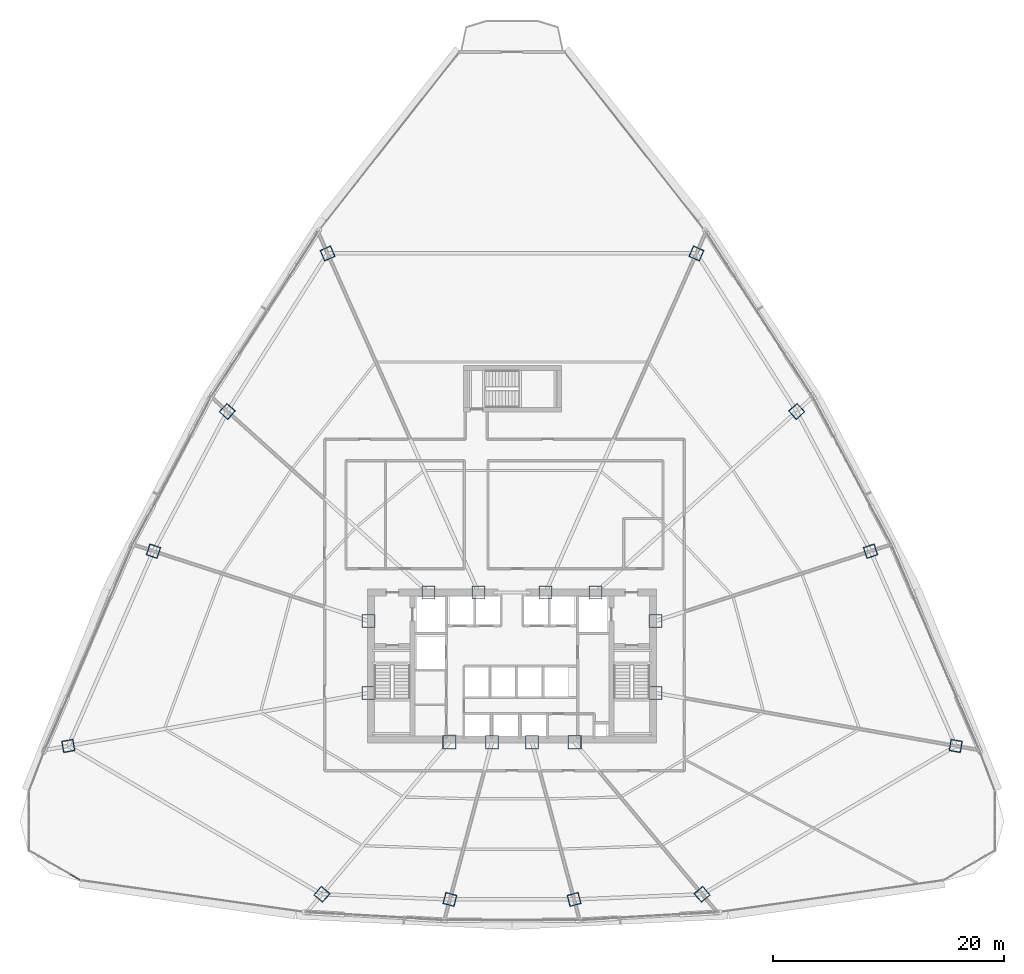
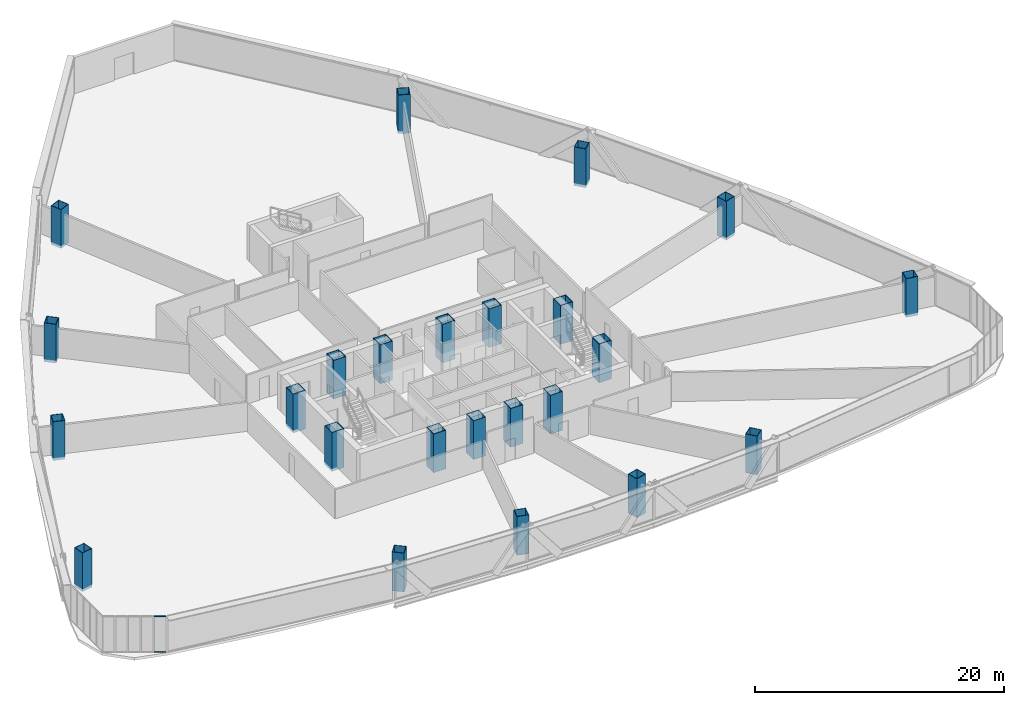
# One storey, part 1 of 39: 24 columns, 2 members, 1 element without a shape of its own.
"""IFC4 building model written with IfcOpenShell, lengths in metres."""

from ifc_helpers import new_model, si_unit, direction, frame, origin, origin_2d, place, context, subcontext, project, spatial, hollow_rectangle, extrude, source, transform, mapped, material, layer, layer_set, material_profile, profile_set, type_object, element, aggregate, save


model = new_model("IFC4")

# Units and contexts
model_context = context("Model", 3, precision=1e-05, world=origin(), true_north=direction((0.0, 1.0)))
body_context = subcontext(model_context, "Body", "Model", "MODEL_VIEW")
ifc_project = project(units=[si_unit("LENGTHUNIT", "METRE"), si_unit("AREAUNIT", "SQUARE_METRE"), si_unit("VOLUMEUNIT", "CUBIC_METRE"), si_unit("PLANEANGLEUNIT", "RADIAN"), si_unit("MASSUNIT", "GRAM", prefix="KILO"), si_unit("THERMODYNAMICTEMPERATUREUNIT", "KELVIN"), si_unit("POWERUNIT", "WATT")], contexts=[model_context])

# Site, building, storey
site_placement = place(None, origin())
site = spatial("IfcSite", under=ifc_project, at=site_placement, CompositionType="ELEMENT")
building_placement = place(site_placement, origin())
building = spatial("IfcBuilding", under=site, at=building_placement, Name="Yunzhuo Pagoda Commons", CompositionType="ELEMENT")
storey_placement = place(building_placement, frame((0.0, 0.0, 92.580078125)))
storey = spatial("IfcBuildingStorey", under=building, at=storey_placement, Name="L23", CompositionType="ELEMENT", Elevation=92.580078125)

# Columns
ifc_material_1 = material(Name="Structural steel Q420B", Category="steel")
ifc_material_profile_1 = material_profile(ifc_material_1, hollow_rectangle(XDim=1.14990234375, YDim=1.14990234375, WallThickness=0.048095703125, at=origin_2d()), Name="Structural steel Q420B")
ifc_profile_set_1 = profile_set([ifc_material_profile_1], Name="Structural steel Q420B")
column_type_1 = type_object("IfcColumnType", Name="C-COR Column BOX 1150x1150x48", PredefinedType="COLUMN", material=ifc_profile_set_1)
shared_shape_1 = source(origin(), body_context, "Body", "SweptSolid", [
    extrude(hollow_rectangle(XDim=1.14990234375, YDim=1.14990234375, WallThickness=0.048095703125, at=origin_2d()), origin(), (0.0, 0.0, 1.0), 3.800048828125),
])
for number, where, z_axis, x_axis, name in (
    (1, (42.587890625, 27.25, -0.260009765625), (0.0, 0.0, 1.0), (1.0, 0.0, 0.0), "L23 core composite column F1C1"),
    (2, (46.27197265625, 27.25, -0.260009765625), (0.0, 0.0, 1.0), (1.0, 0.0, 0.0), "L23 core composite column F1C2"),
    (3, (49.728515625, 27.25, -0.260009765625), (0.0, 0.0, 1.0), (1.0, 0.0, 0.0), "L23 core composite column F1C3"),
    (4, (53.412109375, 27.25, -0.260009765625), (0.0, 0.0, 1.0), (1.0, 0.0, 0.0), "L23 core composite column F1C4"),
    (5, (60.39990234375, 31.513427734375, -0.260009765625), (0.0, 0.0, 1.0), (1.0, 0.0, 0.0), "L23 core composite column F2C1"),
    (6, (60.39990234375, 37.72900390625, -0.260009765625), (0.0, 0.0, 1.0), (1.0, 0.0, 0.0), "L23 core composite column F2C2"),
    (7, (55.218994140625, 40.199951171875, -0.260009765625), (0.0, 0.0, 1.0), (1.0, 0.0, 0.0), "L23 core composite column F2C3"),
    (8, (50.89404296875, 40.199951171875, -0.260009765625), (0.0, 0.0, 1.0), (1.0, 0.0, 0.0), "L23 core composite column F2C4"),
    (9, (45.10595703125, 40.199951171875, -0.260009765625), (0.0, 0.0, 1.0), (1.0, 0.0, 0.0), "L23 core composite column F3C1"),
    (10, (40.781005859375, 40.199951171875, -0.260009765625), (0.0, 0.0, 1.0), (1.0, 0.0, 0.0), "L23 core composite column F3C2"),
    (11, (35.60009765625, 37.72900390625, -0.260009765625), (0.0, 0.0, 1.0), (1.0, 0.0, 0.0), "L23 core composite column F3C3"),
    (12, (35.60009765625, 31.513427734375, -0.260009765625), (0.0, 0.0, 1.0), (1.0, 0.0, 0.0), "L23 core composite column F3C4"),
):
    element("IfcColumn", number, at=place(storey_placement, frame(where, z_axis=z_axis, x_axis=x_axis)), inside=storey, type_object=column_type_1, Name=name, PredefinedType="COLUMN", context=body_context, shape_type="MappedRepresentation", body=[
        mapped(shared_shape_1, transform((0.0, 0.0, 0.0), scale=1.0)),
    ])
ifc_material_profile_2 = material_profile(ifc_material_1, hollow_rectangle(XDim=1.0, YDim=1.0, WallThickness=0.0419921875, at=origin_2d()), Name="Structural steel Q420B")
ifc_profile_set_2 = profile_set([ifc_material_profile_2], Name="Structural steel Q420B")
column_type_2 = type_object("IfcColumnType", Name="C-Z2 Column BOX 1000x1000x42", PredefinedType="COLUMN", material=ifc_profile_set_2)
shared_shape_2 = source(origin(), body_context, "Body", "SweptSolid", [
    extrude(hollow_rectangle(XDim=1.0, YDim=1.0, WallThickness=0.0419921875, at=origin_2d()), origin(), (0.0, 0.0, 1.0), 3.800048828125),
])
for number, where, z_axis, x_axis, name in (
    (13, (31.56396484375, 14.1123046875, -0.260009765625), (0.0, 0.0, 1.0), (0.766044443119, -0.642787609687, 0.0), "L23 tower column F1C1"),
    (14, (42.632568359375, 13.66845703125, -0.260009765625), (0.0, 0.0, 1.0), (0.965925826289, -0.258819045103, 0.0), "L23 tower column F1C2"),
    (15, (53.367431640625, 13.66845703125, -0.260009765625), (0.0, 0.0, 1.0), (0.965925826289, 0.258819045103, 0.0), "L23 tower column F1C3"),
    (16, (64.43603515625, 14.1123046875, -0.260009765625), (0.0, 0.0, 1.0), (0.766044443119, 0.642787609687, 0.0), "L23 tower column F1C4"),
    (17, (86.352783203125, 26.9375, -0.260009765625), (0.0, 0.0, 1.0), (0.173648177667, 0.984807753012, 0.0), "L23 tower column F2C1"),
    (18, (78.99072265625, 43.76953125, -0.260009765625), (0.0, 0.0, 1.0), (-0.309016994375, 0.951056516295, 0.0), "L23 tower column F2C2"),
    (19, (72.602783203125, 55.852294921875, -0.260009765625), (0.0, 0.0, 1.0), (-0.669130606359, 0.743144825477, 0.0), "L23 tower column F2C3"),
    (20, (63.94140625, 69.505126953125, -0.260009765625), (0.0, 0.0, 1.0), (-0.913545457643, 0.406736643076, 0.0), "L23 tower column F2C4"),
    (21, (32.05859375, 69.505126953125, -0.260009765625), (0.0, 0.0, 1.0), (-0.913545457643, -0.406736643076, 0.0), "L23 tower column F3C1"),
    (22, (23.397216796875, 55.852294921875, -0.260009765625), (0.0, 0.0, 1.0), (-0.669130606359, -0.743144825477, 0.0), "L23 tower column F3C2"),
    (23, (17.00927734375, 43.76953125, -0.260009765625), (0.0, 0.0, 1.0), (-0.309016994375, -0.951056516295, 0.0), "L23 tower column F3C3"),
    (24, (9.647216796875, 26.9375, -0.260009765625), (0.0, 0.0, 1.0), (0.173648177667, -0.984807753012, 0.0), "L23 tower column F3C4"),
):
    element("IfcColumn", number, at=place(storey_placement, frame(where, z_axis=z_axis, x_axis=x_axis)), inside=storey, type_object=column_type_2, Name=name, PredefinedType="COLUMN", context=body_context, shape_type="MappedRepresentation", body=[
        mapped(shared_shape_2, transform((0.0, 0.0, 0.0), scale=1.0)),
    ])

# Curtain wall, members
ifc_material_2 = material(Name="Anodized aluminium 6063-T6", Category="aluminium")
ifc_layer = layer(ifc_material_2, 0.1298828125)
ifc_layer_set = layer_set([ifc_layer], Name="Anodized aluminium 6063-T6")
curtain_wall_type = type_object("IfcCurtainWallType", Name="CW-VTX Rounded Corner Curtain Wall", PredefinedType="NOTDEFINED", material=ifc_layer_set)
curtain_wall_placement = place(storey_placement, origin())
curtain_wall = element("IfcCurtainWall", 25, at=curtain_wall_placement, inside=storey, type_object=curtain_wall_type, Name="L23 curtain wall CW-L23-VTX1S2", PredefinedType="NOTDEFINED")
ifc_material_profile_3 = material_profile(ifc_material_2, hollow_rectangle(XDim=0.054931640625, YDim=0.1201171875, WallThickness=0.00341796875, at=origin_2d()), Name="Anodized aluminium 6063-T6")
ifc_profile_set_3 = profile_set([ifc_material_profile_3], Name="Anodized aluminium 6063-T6")
member_type = type_object("IfcMemberType", Name="CW-VTX-T Transom RHS 120x55x3.5", PredefinedType="USERDEFINED", material=ifc_profile_set_3)
shared_shape_3 = source(origin(), body_context, "Body", "SweptSolid", [
    extrude(hollow_rectangle(XDim=0.054931640625, YDim=0.1201171875, WallThickness=0.00341796875, at=origin_2d()), origin(), (0.0, 0.0, 1.0), 0.952880859375),
])
member_1_placement = place(storey_placement, frame((9.807373046875, 15.8349609375, 0.02734375), z_axis=(0.865391204156, -0.501096860666, 0.0), x_axis=(0.501096860666, 0.865391204156, 0.0)))
member_1 = element("IfcMember", 26, at=member_1_placement, type_object=member_type, Name="CW transom 5.1", ObjectType="TRANSOM", PredefinedType="USERDEFINED", context=body_context, shape_type="MappedRepresentation", body=[
    mapped(shared_shape_3, transform((0.0, 0.0, 0.0), scale=1.0)),
])
member_2_placement = place(storey_placement, frame((9.807373046875, 15.8349609375, 3.512451171875), z_axis=(0.865391204156, -0.501096860666, 0.0), x_axis=(0.501096860666, 0.865391204156, 0.0)))
member_2 = element("IfcMember", 27, at=member_2_placement, type_object=member_type, Name="CW transom 5.2", ObjectType="TRANSOM", PredefinedType="USERDEFINED", context=body_context, shape_type="MappedRepresentation", body=[
    mapped(shared_shape_3, transform((0.0, 0.0, 0.0), scale=1.0)),
])
aggregate(curtain_wall, [member_1, member_2])

save(model, "model.ifc")
